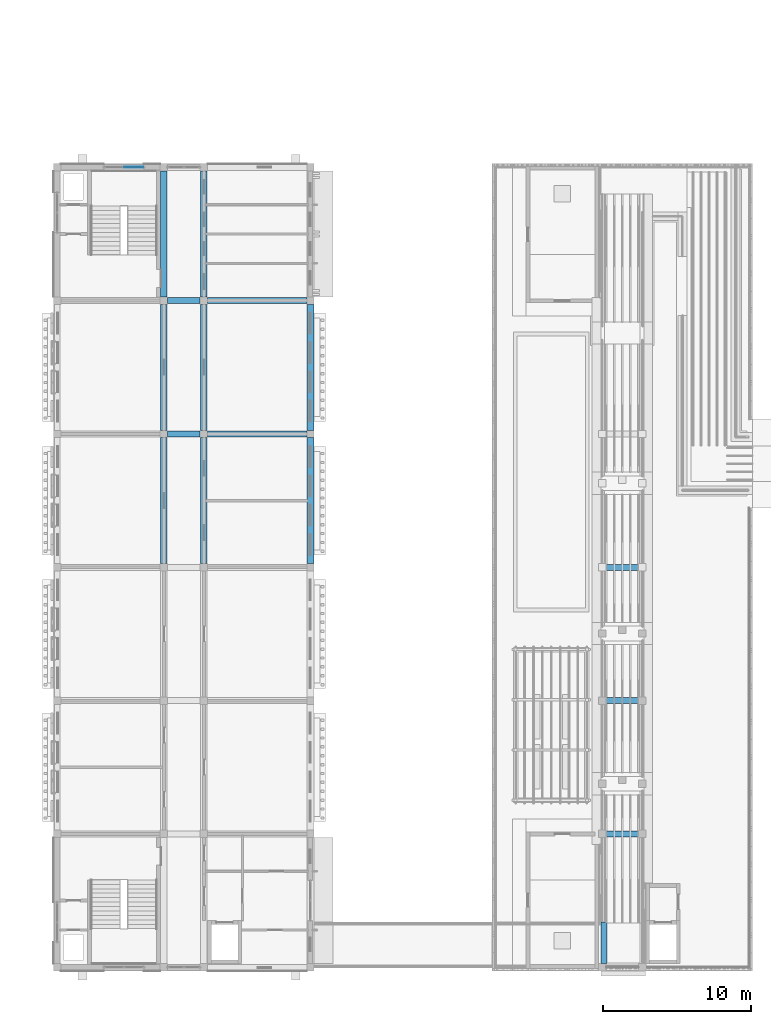
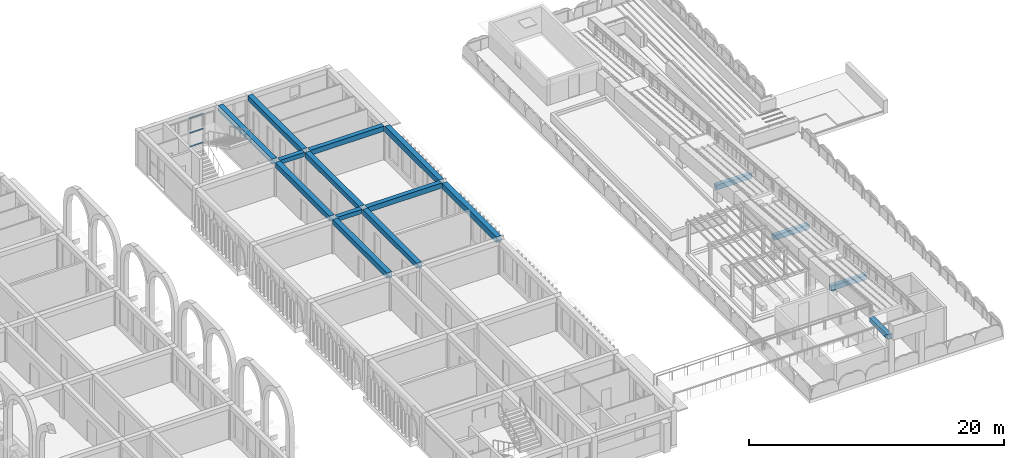
# One storey, part 24 of 70: 16 beams, 3 members, 1 element without a shape of its own.
"""IFC4 building model written with IfcOpenShell, lengths in metres."""

from ifc_helpers import new_model, si_unit, direction, frame, origin, origin_2d, place, context, subcontext, project, spatial, polyline, rectangle, outline, extrude, material, layer, layer_set, material_profile, profile_set, type_object, element, aggregate, save


model = new_model("IFC4")

# Units and contexts
model_context = context("Model", 3, precision=1e-05, world=origin(), true_north=direction((0.0, 1.0)))
body_context = subcontext(model_context, "Body", "Model", "MODEL_VIEW")
ifc_project = project(units=[si_unit("LENGTHUNIT", "METRE"), si_unit("AREAUNIT", "SQUARE_METRE"), si_unit("VOLUMEUNIT", "CUBIC_METRE"), si_unit("PLANEANGLEUNIT", "RADIAN"), si_unit("MASSUNIT", "GRAM", prefix="KILO")], contexts=[model_context])

# Site, building, storey
site_placement = place(None, origin())
site = spatial("IfcSite", under=ifc_project, at=site_placement, CompositionType="ELEMENT")
building_placement = place(site_placement, origin())
building = spatial("IfcBuilding", under=site, at=building_placement, Name="Elbe Cascade School", CompositionType="ELEMENT")
storey_placement = place(building_placement, frame((0.0, 0.0, 8.10009765625)))
storey = spatial("IfcBuildingStorey", under=building, at=storey_placement, Name="L02", CompositionType="ELEMENT", Elevation=8.10009765625)

# Curtain wall, members
ifc_material_1 = material(Name="Aluminium frame with double glazing, bronze anodised", Category="aluminium")
ifc_layer = layer(ifc_material_1, 0.159912109375)
ifc_layer_set = layer_set([ifc_layer], Name="Aluminium frame with double glazing, bronze anodised")
curtain_wall_type = type_object("IfcCurtainWallType", Name="Bars envelope Curtain wall, aluminium, bronze anodised, storey-high slot", PredefinedType="NOTDEFINED", material=ifc_layer_set)
curtain_wall_placement = place(storey_placement, origin())
curtain_wall = element("IfcCurtainWall", 1, at=curtain_wall_placement, inside=storey, type_object=curtain_wall_type, Name="Curtain wall CW4 C.L02.n1", PredefinedType="NOTDEFINED")
ifc_material_2 = material(Name="Aluminium transom, bronze anodised", Category="aluminium")
ifc_material_profile_1 = material_profile(ifc_material_2, rectangle(XDim=0.06005859375, YDim=0.1201171875, at=origin_2d()), Name="Bars envelope Curtain wall transom 60 x 120, aluminium, storey-high slot")
ifc_profile_set_1 = profile_set([ifc_material_profile_1], Name="Aluminium transom, bronze anodised")
member_type = type_object("IfcMemberType", Name="Bars envelope Curtain wall transom 60 x 120, aluminium, storey-high slot", PredefinedType="USERDEFINED", material=ifc_profile_set_1)
member_1_placement = place(storey_placement, frame((132.72998046875, 60.0, 0.02978515625), z_axis=(1.0, 0.0, 0.0), x_axis=(0.0, 1.0, 0.0)))
member_1 = element("IfcMember", 2, at=member_1_placement, type_object=member_type, Name="CW4 transom 2.1", ObjectType="TRANSOM", PredefinedType="USERDEFINED", context=body_context, shape_type="SweptSolid", body=[
    extrude(rectangle(XDim=0.06005859375, YDim=0.1201171875, at=origin_2d()), origin(), (0.0, 0.0, 1.0), 1.260009765625),
])
member_2_placement = place(storey_placement, frame((132.72998046875, 60.0, 1.349853515625), z_axis=(1.0, 0.0, 0.0), x_axis=(0.0, 1.0, 0.0)))
member_2 = element("IfcMember", 3, at=member_2_placement, type_object=member_type, Name="CW4 transom 2.2", ObjectType="TRANSOM", PredefinedType="USERDEFINED", context=body_context, shape_type="SweptSolid", body=[
    extrude(rectangle(XDim=0.06005859375, YDim=0.1201171875, at=origin_2d()), origin(), (0.0, 0.0, 1.0), 1.260009765625),
])
member_3_placement = place(storey_placement, frame((132.72998046875, 60.0, 2.77001953125), z_axis=(1.0, 0.0, 0.0), x_axis=(0.0, 1.0, 0.0)))
member_3 = element("IfcMember", 4, at=member_3_placement, type_object=member_type, Name="CW4 transom 2.3", ObjectType="TRANSOM", PredefinedType="USERDEFINED", context=body_context, shape_type="SweptSolid", body=[
    extrude(rectangle(XDim=0.06005859375, YDim=0.1201171875, at=origin_2d()), origin(), (0.0, 0.0, 1.0), 1.260009765625),
])
aggregate(curtain_wall, [member_1, member_2, member_3])

# Beams
ifc_material_3 = material(Name="Concrete C30/37", Category="concrete")
ifc_material_profile_2 = material_profile(ifc_material_3, rectangle(XDim=0.39990234375, YDim=0.39990234375, at=origin_2d()), Name="RC 400x400")
ifc_profile_set_2 = profile_set([ifc_material_profile_2], Name="Concrete C30/37")
beam_type_1 = type_object("IfcBeamType", Name="RC 400x400 beam", PredefinedType="BEAM", material=ifc_profile_set_2)
for number, where, z_axis, x_axis, name in (
    (5, (135.64990234375, 42.0, 3.099853515625), (1.0, 0.0, 0.0), (0.0, 1.0, 0.0), "RC 400x400 beam B5"),
    (6, (135.64990234375, 51.0, 3.099853515625), (1.0, 0.0, 0.0), (0.0, 1.0, 0.0), "RC 400x400 beam B5"),
):
    element("IfcBeam", number, at=place(storey_placement, frame(where, z_axis=z_axis, x_axis=x_axis)), inside=storey, type_object=beam_type_1, Name=name, PredefinedType="BEAM", context=body_context, shape_type="SweptSolid", body=[
        extrude(rectangle(XDim=0.39990234375, YDim=0.39990234375, at=origin_2d()), origin(), (0.0, 0.0, 1.0), 2.2001953125),
    ])
ifc_material_4 = material(Name="Concrete C30/37", Category="concrete")
ifc_material_profile_3 = material_profile(ifc_material_4, rectangle(XDim=0.39990234375, YDim=0.449951171875, at=origin_2d()), Name="RC 400x450")
ifc_profile_set_3 = profile_set([ifc_material_profile_3], Name="Concrete C30/37")
beam_type_2 = type_object("IfcBeamType", Name="RC 400x450 beam", PredefinedType="BEAM", material=ifc_profile_set_3)
beam_placement = place(storey_placement, frame((165.10009765625, 6.25, 3.135009765625), z_axis=(0.0, 1.0, 0.0), x_axis=(-1.0, 0.0, 0.0)))
element("IfcBeam", 7, at=beam_placement, inside=storey, type_object=beam_type_2, Name="RC 400x450 beam B2", PredefinedType="BEAM", context=body_context, shape_type="SweptSolid", body=[
    extrude(rectangle(XDim=0.39990234375, YDim=0.449951171875, at=origin_2d()), origin(), (0.0, 0.0, 1.0), 2.800048828125),
])
ifc_material_5 = material(Name="Concrete C30/37", Category="concrete")
ifc_material_profile_4 = material_profile(ifc_material_5, outline(polyline([(-0.199951171875, 0.0), (0.199951171875, 0.0), (0.199951171875, 0.433349609375), (-0.199951171875, 0.466552734375), (-0.199951171875, 0.0)])), Name="RC cross-beam 400x450 sloped top")
ifc_profile_set_4 = profile_set([ifc_material_profile_4], Name="Concrete C30/37")
beam_type_3 = type_object("IfcBeamType", Name="RC 400x450 sloped cross-beam", PredefinedType="BEAM", material=ifc_profile_set_4)
for number, where, z_axis, x_axis, name in (
    (8, (164.75, 15.0, 2.409912109375), (1.0, 0.0, 0.0), (0.0, 1.0, 0.0), "RC 400x450 sloped cross-beam B25"),
    (9, (164.75, 24.0, 1.784912109375), (1.0, 0.0, 0.0), (0.0, 1.0, 0.0), "RC 400x450 sloped cross-beam B25"),
    (10, (164.75, 33.0, 1.159912109375), (1.0, 0.0, 0.0), (0.0, 1.0, 0.0), "RC 400x450 sloped cross-beam B25"),
):
    element("IfcBeam", number, at=place(storey_placement, frame(where, z_axis=z_axis, x_axis=x_axis)), inside=storey, type_object=beam_type_3, Name=name, PredefinedType="BEAM", context=body_context, shape_type="SweptSolid", body=[
        extrude(outline(polyline([(-0.199951171875, 0.0), (0.199951171875, 0.0), (0.199951171875, 0.433349609375), (-0.199951171875, 0.466552734375), (-0.199951171875, 0.0)])), origin(), (0.0, 0.0, 1.0), 3.199951171875),
    ])
ifc_material_6 = material(Name="Concrete C30/37", Category="concrete")
ifc_material_profile_5 = material_profile(ifc_material_6, rectangle(XDim=0.39990234375, YDim=0.5, at=origin_2d()), Name="RC 400x500")
ifc_profile_set_5 = profile_set([ifc_material_profile_5], Name="Concrete C30/37")
beam_type_4 = type_object("IfcBeamType", Name="RC 400x500 beam", PredefinedType="BEAM", material=ifc_profile_set_5)
for number, where, z_axis, x_axis, name in (
    (11, (138.35009765625, 42.0, 3.0498046875), (1.0, 0.0, 0.0), (0.0, 1.0, 0.0), "RC 400x500 beam B1"),
    (12, (138.35009765625, 51.0, 3.0498046875), (1.0, 0.0, 0.0), (0.0, 1.0, 0.0), "RC 400x500 beam B1"),
):
    element("IfcBeam", number, at=place(storey_placement, frame(where, z_axis=z_axis, x_axis=x_axis)), inside=storey, type_object=beam_type_4, Name=name, PredefinedType="BEAM", context=body_context, shape_type="SweptSolid", body=[
        extrude(rectangle(XDim=0.39990234375, YDim=0.5, at=origin_2d()), origin(), (0.0, 0.0, 1.0), 6.699951171875),
    ])
ifc_material_7 = material(Name="Concrete C30/37", Category="concrete")
ifc_material_profile_6 = material_profile(ifc_material_7, rectangle(XDim=0.449951171875, YDim=0.5, at=origin_2d()), Name="RC 450x500")
ifc_profile_set_6 = profile_set([ifc_material_profile_6], Name="Concrete C30/37")
beam_type_5 = type_object("IfcBeamType", Name="RC 450x500 beam", PredefinedType="BEAM", material=ifc_profile_set_6)
for number, where, z_axis, x_axis, name in (
    (13, (135.39990234375, 33.25, 3.0498046875), (0.0, 1.0, 0.0), (-1.0, 0.0, 0.0), "RC 450x500 beam B9"),
    (14, (135.39990234375, 42.25, 3.0498046875), (0.0, 1.0, 0.0), (-1.0, 0.0, 0.0), "RC 450x500 beam B9"),
    (15, (135.39990234375, 51.25, 3.0498046875), (0.0, 1.0, 0.0), (-1.0, 0.0, 0.0), "RC 450x500 beam B9"),
    (16, (138.10009765625, 33.25, 3.0498046875), (0.0, 1.0, 0.0), (-1.0, 0.0, 0.0), "RC 450x500 beam B9"),
    (17, (138.10009765625, 42.25, 3.0498046875), (0.0, 1.0, 0.0), (-1.0, 0.0, 0.0), "RC 450x500 beam B9"),
    (18, (138.10009765625, 51.25, 3.0498046875), (0.0, 1.0, 0.0), (-1.0, 0.0, 0.0), "RC 450x500 beam B9"),
):
    element("IfcBeam", number, at=place(storey_placement, frame(where, z_axis=z_axis, x_axis=x_axis)), inside=storey, type_object=beam_type_5, Name=name, PredefinedType="BEAM", context=body_context, shape_type="SweptSolid", body=[
        extrude(rectangle(XDim=0.449951171875, YDim=0.5, at=origin_2d()), origin(), (0.0, 0.0, 1.0), 8.5),
    ])
ifc_material_8 = material(Name="Concrete C30/37", Category="concrete")
ifc_material_profile_7 = material_profile(ifc_material_8, rectangle(XDim=0.449951171875, YDim=0.550048828125, at=origin_2d()), Name="RC 450x550")
ifc_profile_set_7 = profile_set([ifc_material_profile_7], Name="Concrete C30/37")
beam_type_6 = type_object("IfcBeamType", Name="RC 450x550 beam", PredefinedType="BEAM", material=ifc_profile_set_7)
for number, where, z_axis, x_axis, name in (
    (19, (145.300048828125, 33.25, 3.02490234375), (0.0, 1.0, 0.0), (-1.0, 0.0, 0.0), "RC 450x550 beam B12"),
    (20, (145.300048828125, 42.25, 3.02490234375), (0.0, 1.0, 0.0), (-1.0, 0.0, 0.0), "RC 450x550 beam B12"),
):
    element("IfcBeam", number, at=place(storey_placement, frame(where, z_axis=z_axis, x_axis=x_axis)), inside=storey, type_object=beam_type_6, Name=name, PredefinedType="BEAM", context=body_context, shape_type="SweptSolid", body=[
        extrude(rectangle(XDim=0.449951171875, YDim=0.550048828125, at=origin_2d()), origin(), (0.0, 0.0, 1.0), 8.5),
    ])

save(model, "model.ifc")
